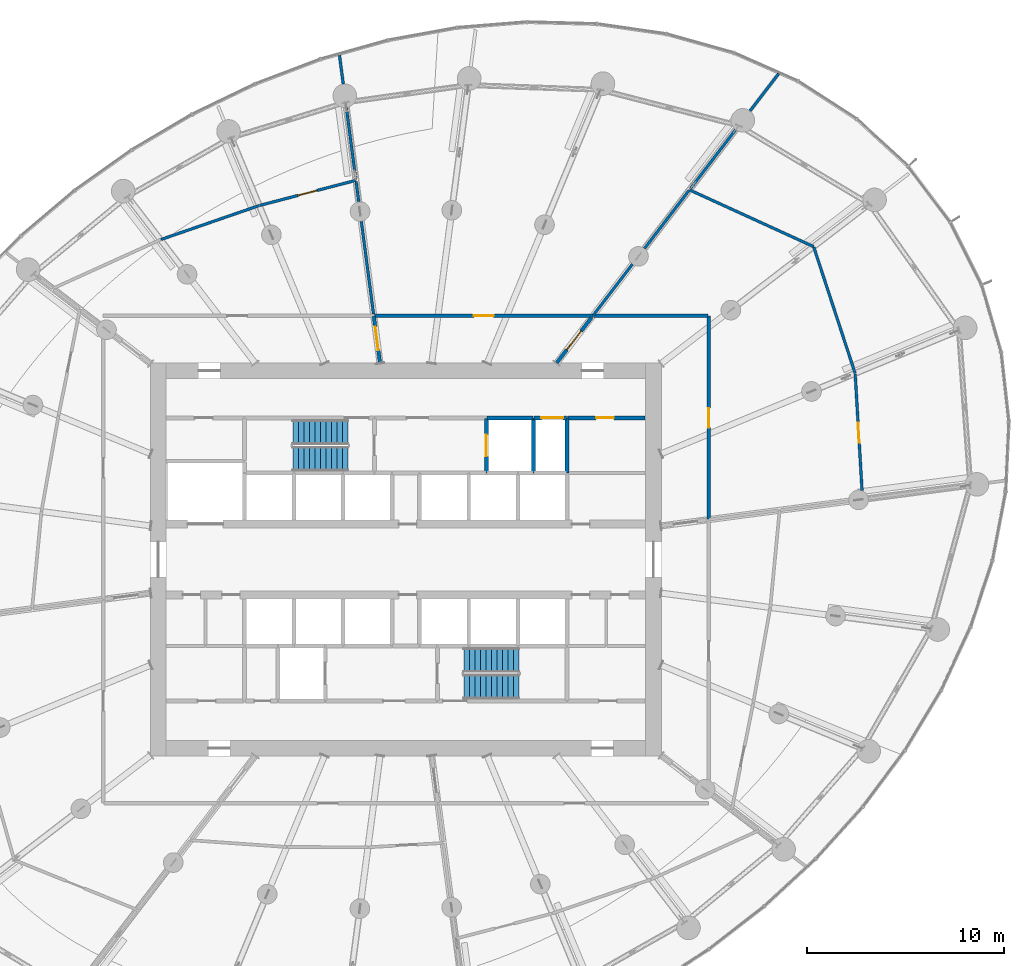
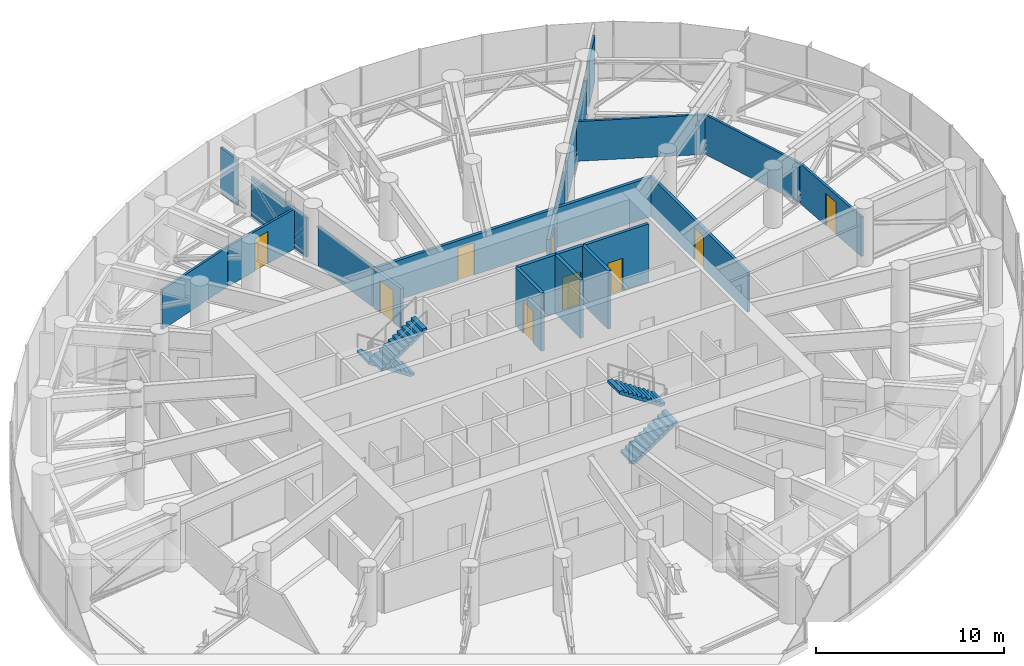
# One storey, part 19 of 33: 24 walls, 9 doors, 4 stair flights, 9 openings, 2 elements without a shape of their own.
"""IFC4 building model written with IfcOpenShell, lengths in metres."""

from ifc_helpers import new_model, si_unit, direction, frame, frame_2d, origin, place, context, subcontext, project, spatial, line, indexed_curve, rectangle, outline, extrude, source, transform, mapped, material, layer, layer_set, type_object, element, fill, aggregate, save


model = new_model("IFC4")

# Units and contexts
model_context = context("Model", 3, precision=1e-05, world=origin(), true_north=direction((0.0, 1.0)))
body_context = subcontext(model_context, "Body", "Model", "MODEL_VIEW")
ifc_project = project(units=[si_unit("LENGTHUNIT", "METRE"), si_unit("AREAUNIT", "SQUARE_METRE"), si_unit("VOLUMEUNIT", "CUBIC_METRE"), si_unit("PLANEANGLEUNIT", "RADIAN"), si_unit("MASSUNIT", "GRAM", prefix="KILO")], contexts=[model_context])

# Site, building, storey
site_placement = place(None, origin())
site = spatial("IfcSite", under=ifc_project, at=site_placement, CompositionType="ELEMENT")
building_placement = place(site_placement, origin())
building = spatial("IfcBuilding", under=site, at=building_placement, Name="Spindrift Exchange Tower", CompositionType="ELEMENT")
storey_placement = place(building_placement, frame((0.0, 0.0, 129.0)))
storey = spatial("IfcBuildingStorey", under=building, at=storey_placement, Name="L30", CompositionType="ELEMENT", Elevation=129.0)

# Wall, opening, door
ifc_material_1 = material(Name="Fire-rated plasterboard partition", Category="gypsum")
ifc_layer_1 = layer(ifc_material_1, 0.179931640625)
ifc_layer_set_1 = layer_set([ifc_layer_1], Name="W-CORR-180")
wall_type_1 = type_object("IfcWallType", Name="W-CORR-180", PredefinedType="PARTITIONING", material=ifc_layer_set_1)
wall_1_placement = place(storey_placement, frame((64.179931640625, 55.199951171875, 0.0), z_axis=(0.0, 0.0, 1.0), x_axis=(-1.0, 0.0, 0.0)))
wall_1 = element("IfcWall", 1, at=wall_1_placement, inside=storey, type_object=wall_type_1, Name="L30 Partition wall 68", PredefinedType="PARTITIONING", context=body_context, shape_type="SweptSolid", body=[
    extrude(rectangle(XDim=3.949951171875, YDim=0.179931640625, at=frame_2d((1.97509765625, 0.0))), origin(), (0.0, 0.0, 1.0), 3.780029296875),
])
opening_1_placement = place(wall_1_placement, frame((1.60009765625, 0.0, 0.0)))
opening_1 = element("IfcOpeningElement", 2, at=opening_1_placement, cuts=wall_1, Name="Opening L30-D46", PredefinedType="OPENING", context=body_context, shape_type="SweptSolid", body=[
    extrude(rectangle(XDim=0.89990234375, YDim=2.10009765625, at=frame_2d((0.449951171875, 1.050048828125))), frame((0.0, 0.099853515625, 0.0), z_axis=(0.0, -1.0, 0.0), x_axis=(1.0, 0.0, 0.0)), (0.0, 0.0, 1.0), 0.199951171875),
])
ifc_material_2 = material(Name="Steel access door", Category="steel")
door_type_1 = type_object("IfcDoorType", Name="DR-RISER-900", OperationType="NOTDEFINED", PredefinedType="DOOR", material=ifc_material_2)
shared_shape_1 = source(origin(), body_context, "Body", "SweptSolid", [
    extrude(rectangle(XDim=0.89990234375, YDim=2.10009765625, at=frame_2d((0.449951171875, 1.050048828125))), frame((0.0, 0.02490234375, 0.0), z_axis=(0.0, -1.0, 0.0), x_axis=(1.0, 0.0, 0.0)), (0.0, 0.0, 1.0), 0.050048828125),
])
door_1_placement = place(opening_1_placement, origin())
door_1 = element("IfcDoor", 3, at=door_1_placement, inside=storey, type_object=door_type_1, Name="L30 Riser door 46", OperationType="SINGLE_SWING_LEFT", OverallHeight=2.10009765625, OverallWidth=0.89990234375, PredefinedType="DOOR", context=body_context, shape_type="MappedRepresentation", body=[
    mapped(shared_shape_1, transform((0.0, 0.0, 0.0), scale=1.0)),
])
fill(opening_1, door_1)

ifc_layer_2 = layer(ifc_material_1, 0.179931640625)
ifc_layer_set_2 = layer_set([ifc_layer_2], Name="W-CORR-180-SOFFIT")
wall_type_2 = type_object("IfcWallType", Name="W-CORR-180-SOFFIT", PredefinedType="PARTITIONING", material=ifc_layer_set_2)
wall_2_placement = place(storey_placement, frame((61.44580078125, 60.31005859375, 0.0), z_axis=(0.0, 0.0, 1.0), x_axis=(-0.608737787706, -0.793371480341, 0.0)))
wall_2 = element("IfcWall", 4, at=wall_2_placement, inside=storey, type_object=wall_type_2, Name="L30 Partition wall 72", PredefinedType="PARTITIONING", context=body_context, shape_type="SweptSolid", body=[
    extrude(rectangle(XDim=2.91162109375, YDim=0.179931640625, at=frame_2d((1.455810546875, 0.0))), origin(), (0.0, 0.0, 1.0), 2.580078125),
])
opening_2_placement = place(wall_2_placement, frame((0.86181640625, 0.0, 0.0)))
opening_2 = element("IfcOpeningElement", 5, at=opening_2_placement, cuts=wall_2, Name="Opening L30-D33", PredefinedType="OPENING", context=body_context, shape_type="SweptSolid", body=[
    extrude(rectangle(XDim=1.199951171875, YDim=2.10009765625, at=frame_2d((0.60009765625, 1.050048828125))), frame((0.0, 0.099853515625, 0.0), z_axis=(0.0, -1.0, 0.0), x_axis=(1.0, 0.0, 0.0)), (0.0, 0.0, 1.0), 0.199951171875),
])
ifc_material_3 = material(Name="Steel fire door", Category="steel")
door_type_2 = type_object("IfcDoorType", Name="DR-PLANT-1200", OperationType="NOTDEFINED", PredefinedType="DOOR", material=ifc_material_3)
shared_shape_2 = source(origin(), body_context, "Body", "SweptSolid", [
    extrude(rectangle(XDim=1.199951171875, YDim=2.10009765625, at=frame_2d((0.60009765625, 1.050048828125))), frame((0.0, 0.02490234375, 0.0), z_axis=(0.0, -1.0, 0.0), x_axis=(1.0, 0.0, 0.0)), (0.0, 0.0, 1.0), 0.050048828125),
])
door_2_placement = place(opening_2_placement, origin())
door_2 = element("IfcDoor", 6, at=door_2_placement, inside=storey, type_object=door_type_2, Name="L30 Plant room door 33", OperationType="SINGLE_SWING_RIGHT", OverallHeight=2.10009765625, OverallWidth=1.199951171875, PredefinedType="DOOR", context=body_context, shape_type="MappedRepresentation", body=[
    mapped(shared_shape_2, transform((0.0, 0.0, 0.0), scale=1.0)),
])
fill(opening_2, door_2)

wall_3_placement = place(storey_placement, frame((50.371337890625, 60.370361328125, 0.0), z_axis=(0.0, 0.0, 1.0), x_axis=(0.13060507681, -0.991434472828, 0.0)))
wall_3 = element("IfcWall", 7, at=wall_3_placement, inside=storey, type_object=wall_type_2, Name="L30 Partition wall 75", PredefinedType="PARTITIONING", context=body_context, shape_type="SweptSolid", body=[
    extrude(rectangle(XDim=2.390869140625, YDim=0.179931640625, at=frame_2d((1.1953125, 0.0))), origin(), (0.0, 0.0, 1.0), 2.580078125),
])
opening_3_placement = place(wall_3_placement, frame((0.540771484375, 0.0, 0.0)))
opening_3 = element("IfcOpeningElement", 8, at=opening_3_placement, cuts=wall_3, Name="Opening L30-D34", PredefinedType="OPENING", context=body_context, shape_type="SweptSolid", body=[
    extrude(rectangle(XDim=1.199951171875, YDim=2.10009765625, at=frame_2d((0.60009765625, 1.050048828125))), frame((0.0, 0.099853515625, 0.0), z_axis=(0.0, -1.0, 0.0), x_axis=(1.0, 0.0, 0.0)), (0.0, 0.0, 1.0), 0.199951171875),
])
door_3_placement = place(opening_3_placement, origin())
door_3 = element("IfcDoor", 9, at=door_3_placement, inside=storey, type_object=door_type_2, Name="L30 Plant room door 34", OperationType="SINGLE_SWING_LEFT", OverallHeight=2.10009765625, OverallWidth=1.199951171875, PredefinedType="DOOR", context=body_context, shape_type="MappedRepresentation", body=[
    mapped(shared_shape_2, transform((0.0, 0.0, 0.0), scale=1.0)),
])
fill(opening_3, door_3)

# Walls
ifc_layer_3 = layer(ifc_material_1, 0.139892578125)
ifc_layer_set_3 = layer_set([ifc_layer_3], Name="W-PLANT-140")
wall_type_3 = type_object("IfcWallType", Name="W-PLANT-140", PredefinedType="PARTITIONING", material=ifc_layer_set_3)
wall_4_placement = place(storey_placement, frame((69.513671875, 70.82421875, 0.0), z_axis=(0.0, 0.0, 1.0), x_axis=(0.608723111947, 0.793382740537, 0.0)))
element("IfcWall", 10, at=wall_4_placement, inside=storey, type_object=wall_type_3, Name="L30 Partition wall 117", PredefinedType="PARTITIONING", context=body_context, shape_type="SweptSolid", body=[
    extrude(rectangle(XDim=2.390380859375, YDim=0.139892578125, at=frame_2d((1.1953125, 0.0))), origin(), (0.0, 0.0, 1.0), 2.97998046875),
])
wall_5_placement = place(storey_placement, frame((48.814697265625, 72.194580078125, 0.0), z_axis=(0.0, 0.0, 1.0), x_axis=(-0.13042446584, 0.991458248597, 0.0)))
element("IfcWall", 11, at=wall_5_placement, inside=storey, type_object=wall_type_3, Name="L30 Partition wall 128", PredefinedType="PARTITIONING", context=body_context, shape_type="SweptSolid", body=[
    extrude(rectangle(XDim=1.47119140625, YDim=0.139892578125, at=frame_2d((0.735595703125, 0.0))), origin(), (0.0, 0.0, 1.0), 2.97998046875),
])
ifc_layer_4 = layer(ifc_material_1, 0.139892578125)
ifc_layer_set_4 = layer_set([ifc_layer_4], Name="W-PLANT-140-SOFFIT")
wall_type_4 = type_object("IfcWallType", Name="W-PLANT-140-SOFFIT", PredefinedType="PARTITIONING", material=ifc_layer_set_4)
wall_6_placement = place(storey_placement, frame((72.747802734375, 63.920166015625, 0.0), z_axis=(0.0, 0.0, 1.0), x_axis=(-0.909542442832, 0.415611049765, 0.0)))
element("IfcWall", 12, at=wall_6_placement, inside=storey, type_object=wall_type_4, Name="L30 Partition wall 79", PredefinedType="PARTITIONING", context=body_context, shape_type="SweptSolid", body=[
    extrude(rectangle(XDim=6.945068359375, YDim=0.139892578125, at=frame_2d((3.47265625, 0.0))), origin(), (0.0, 0.0, 1.0), 2.580078125),
])
wall_7_placement = place(storey_placement, frame((74.8603515625, 57.468994140625, 0.0), z_axis=(0.0, 0.0, 1.0), x_axis=(-0.311205759701, 0.950342556728, 0.0)))
element("IfcWall", 13, at=wall_7_placement, inside=storey, type_object=wall_type_4, Name="L30 Partition wall 80", PredefinedType="PARTITIONING", context=body_context, shape_type="SweptSolid", body=[
    extrude(rectangle(XDim=6.758544921875, YDim=0.139892578125, at=frame_2d((3.37939453125, 0.0))), origin(), (0.0, 0.0, 1.0), 2.580078125),
])

# Wall, opening, door
wall_8_placement = place(storey_placement, frame((74.862060546875, 57.439208984375, 0.0), z_axis=(0.0, 0.0, 1.0), x_axis=(0.058847201185, -0.998267001815, 0.0)))
wall_8 = element("IfcWall", 14, at=wall_8_placement, inside=storey, type_object=wall_type_4, Name="L30 Partition wall 86", PredefinedType="PARTITIONING", context=body_context, shape_type="SweptSolid", body=[
    extrude(rectangle(XDim=5.945068359375, YDim=0.139892578125, at=frame_2d((2.97265625, 0.0))), origin(), (0.0, 0.0, 1.0), 2.580078125),
])
opening_4_placement = place(wall_8_placement, frame((2.494873046875, 0.0, 0.0)))
opening_4 = element("IfcOpeningElement", 15, at=opening_4_placement, cuts=wall_8, Name="Opening L30-D19", PredefinedType="OPENING", context=body_context, shape_type="SweptSolid", body=[
    extrude(rectangle(XDim=1.0, YDim=2.10009765625, at=frame_2d((0.5, 1.050048828125))), frame((0.0, 0.079833984375, 0.0), z_axis=(0.0, -1.0, 0.0), x_axis=(1.0, 0.0, 0.0)), (0.0, 0.0, 1.0), 0.159912109375),
])
ifc_material_4 = material(Name="Timber-core fire door", Category="wood")
door_type_3 = type_object("IfcDoorType", Name="DR-ROOM-1000", OperationType="NOTDEFINED", PredefinedType="DOOR", material=ifc_material_4)
shared_shape_3 = source(origin(), body_context, "Body", "SweptSolid", [
    extrude(rectangle(XDim=1.0, YDim=2.10009765625, at=frame_2d((0.5, 1.050048828125))), frame((0.0, 0.02490234375, 0.0), z_axis=(0.0, -1.0, 0.0), x_axis=(1.0, 0.0, 0.0)), (0.0, 0.0, 1.0), 0.050048828125),
])
door_4_placement = place(opening_4_placement, origin())
door_4 = element("IfcDoor", 16, at=door_4_placement, inside=storey, type_object=door_type_3, Name="L30 Door 19", OperationType="SINGLE_SWING_RIGHT", OverallHeight=2.10009765625, OverallWidth=1.0, PredefinedType="DOOR", context=body_context, shape_type="MappedRepresentation", body=[
    mapped(shared_shape_3, transform((0.0, 0.0, 0.0), scale=1.0)),
])
fill(opening_4, door_4)

# Wall
wall_9_placement = place(storey_placement, frame((44.5400390625, 66.009765625, 0.0), z_axis=(0.0, 0.0, 1.0), x_axis=(-0.945116087861, -0.326734724918, 0.0)))
element("IfcWall", 17, at=wall_9_placement, inside=storey, type_object=wall_type_4, Name="L30 Partition wall 89", PredefinedType="PARTITIONING", context=body_context, shape_type="SweptSolid", body=[
    extrude(rectangle(XDim=5.2880859375, YDim=0.139892578125, at=frame_2d((2.64404296875, 0.0))), origin(), (0.0, 0.0, 1.0), 2.580078125),
])

# Wall, opening, door
wall_10_placement = place(storey_placement, frame((44.569091796875, 66.017333984375, 0.0), z_axis=(0.0, 0.0, 1.0), x_axis=(0.967691095233, 0.252138739998, 0.0)))
wall_10 = element("IfcWall", 18, at=wall_10_placement, inside=storey, type_object=wall_type_4, Name="L30 Partition wall 93", PredefinedType="PARTITIONING", context=body_context, shape_type="SweptSolid", body=[
    extrude(rectangle(XDim=5.054443359375, YDim=0.139892578125, at=frame_2d((2.52734375, 0.0))), origin(), (0.0, 0.0, 1.0), 2.580078125),
])
opening_5_placement = place(wall_10_placement, frame((2.00439453125, 0.0, 0.0)))
opening_5 = element("IfcOpeningElement", 19, at=opening_5_placement, cuts=wall_10, Name="Opening L30-D22", PredefinedType="OPENING", context=body_context, shape_type="SweptSolid", body=[
    extrude(rectangle(XDim=1.0, YDim=2.10009765625, at=frame_2d((0.5, 1.050048828125))), frame((0.0, 0.079833984375, 0.0), z_axis=(0.0, -1.0, 0.0), x_axis=(1.0, 0.0, 0.0)), (0.0, 0.0, 1.0), 0.159912109375),
])
door_5_placement = place(opening_5_placement, origin())
door_5 = element("IfcDoor", 20, at=door_5_placement, inside=storey, type_object=door_type_3, Name="L30 Door 22", OperationType="SINGLE_SWING_LEFT", OverallHeight=2.10009765625, OverallWidth=1.0, PredefinedType="DOOR", context=body_context, shape_type="MappedRepresentation", body=[
    mapped(shared_shape_3, transform((0.0, 0.0, 0.0), scale=1.0)),
])
fill(opening_5, door_5)

# Walls
wall_11_placement = place(storey_placement, frame((50.355712890625, 60.489990234375, 0.0), z_axis=(0.0, 0.0, 1.0), x_axis=(-0.130548834981, 0.991441880135, 0.0)))
element("IfcWall", 21, at=wall_11_placement, inside=storey, type_object=wall_type_4, Name="L30 Partition wall 101", PredefinedType="PARTITIONING", context=body_context, shape_type="SweptSolid", body=[
    extrude(rectangle(XDim=4.75390625, YDim=0.139892578125, at=frame_2d((2.376953125, 0.0))), origin(), (0.0, 0.0, 1.0), 2.580078125),
])
wall_12_placement = place(storey_placement, frame((66.474609375, 66.86376953125, 0.0), z_axis=(0.0, 0.0, 1.0), x_axis=(0.608749841057, 0.793362231905, 0.0)))
element("IfcWall", 22, at=wall_12_placement, inside=storey, type_object=wall_type_4, Name="L30 Partition wall 104", PredefinedType="PARTITIONING", context=body_context, shape_type="SweptSolid", body=[
    extrude(rectangle(XDim=3.783447265625, YDim=0.139892578125, at=frame_2d((1.8916015625, 0.0))), origin(), (0.0, 0.0, 1.0), 2.580078125),
])
wall_13_placement = place(storey_placement, frame((64.14208984375, 63.823974609375, 0.0), z_axis=(0.0, 0.0, 1.0), x_axis=(0.608761301523, 0.793353438114, 0.0)))
element("IfcWall", 23, at=wall_13_placement, inside=storey, type_object=wall_type_4, Name="L30 Partition wall 106", PredefinedType="PARTITIONING", context=body_context, shape_type="SweptSolid", body=[
    extrude(rectangle(XDim=3.729736328125, YDim=0.139892578125, at=frame_2d((1.86474609375, 0.0))), origin(), (0.0, 0.0, 1.0), 2.580078125),
])
wall_14_placement = place(storey_placement, frame((49.456298828125, 67.321533203125, 0.0), z_axis=(0.0, 0.0, 1.0), x_axis=(-0.130558454313, 0.991440613455, 0.0)))
element("IfcWall", 24, at=wall_14_placement, inside=storey, type_object=wall_type_4, Name="L30 Partition wall 108", PredefinedType="PARTITIONING", context=body_context, shape_type="SweptSolid", body=[
    extrude(rectangle(XDim=3.706298828125, YDim=0.139892578125, at=frame_2d((1.85302734375, 0.0))), origin(), (0.0, 0.0, 1.0), 2.580078125),
])
wall_15_placement = place(storey_placement, frame((61.537109375, 60.428955078125, 0.0), z_axis=(0.0, 0.0, 1.0), x_axis=(0.608754323654, 0.793358792371, 0.0)))
element("IfcWall", 25, at=wall_15_placement, inside=storey, type_object=wall_type_4, Name="L30 Partition wall 112", PredefinedType="PARTITIONING", context=body_context, shape_type="SweptSolid", body=[
    extrude(rectangle(XDim=3.2705078125, YDim=0.139892578125, at=frame_2d((1.63525390625, 0.0))), origin(), (0.0, 0.0, 1.0), 2.580078125),
])
wall_16_placement = place(storey_placement, frame((49.603515625, 66.203369140625, 0.0), z_axis=(0.0, 0.0, 1.0), x_axis=(-0.130497554193, 0.991448631221, 0.0)))
element("IfcWall", 26, at=wall_16_placement, inside=storey, type_object=wall_type_4, Name="L30 Partition wall 132", PredefinedType="PARTITIONING", context=body_context, shape_type="SweptSolid", body=[
    extrude(rectangle(XDim=1.027099609375, YDim=0.139892578125, at=frame_2d((0.513671875, 0.0))), origin(), (0.0, 0.0, 1.0), 2.580078125),
])

# Wall, opening, door
ifc_layer_5 = layer(ifc_material_1, 0.179931640625)
ifc_layer_set_5 = layer_set([ifc_layer_5], Name="W-PLANT-180-SOFFIT")
wall_type_5 = type_object("IfcWallType", Name="W-PLANT-180-SOFFIT", PredefinedType="PARTITIONING", material=ifc_layer_set_5)
wall_17_placement = place(storey_placement, frame((50.3974609375, 60.39990234375, 0.0), z_axis=(0.0, 0.0, 1.0), x_axis=(1.0, 0.0, 0.0)))
wall_17 = element("IfcWall", 27, at=wall_17_placement, inside=storey, type_object=wall_type_5, Name="L30 Partition wall 62", PredefinedType="PARTITIONING", context=body_context, shape_type="SweptSolid", body=[
    extrude(rectangle(XDim=11.117431640625, YDim=0.179931640625, at=frame_2d((5.55859375, 0.0))), origin(), (0.0, 0.0, 1.0), 2.580078125),
])
opening_6_placement = place(wall_17_placement, frame((5.0673828125, 0.0, 0.0)))
opening_6 = element("IfcOpeningElement", 28, at=opening_6_placement, cuts=wall_17, Name="Opening L30-D20", PredefinedType="OPENING", context=body_context, shape_type="SweptSolid", body=[
    extrude(rectangle(XDim=1.0, YDim=2.10009765625, at=frame_2d((0.5, 1.050048828125))), frame((0.0, 0.099853515625, 0.0), z_axis=(0.0, -1.0, 0.0), x_axis=(1.0, 0.0, 0.0)), (0.0, 0.0, 1.0), 0.199951171875),
])
door_6_placement = place(opening_6_placement, origin())
door_6 = element("IfcDoor", 29, at=door_6_placement, inside=storey, type_object=door_type_3, Name="L30 Door 20", OperationType="SINGLE_SWING_LEFT", OverallHeight=2.10009765625, OverallWidth=1.0, PredefinedType="DOOR", context=body_context, shape_type="MappedRepresentation", body=[
    mapped(shared_shape_3, transform((0.0, 0.0, 0.0), scale=1.0)),
])
fill(opening_6, door_6)

wall_18_placement = place(storey_placement, frame((67.39990234375, 60.39990234375, 0.0), z_axis=(0.0, 0.0, 1.0), x_axis=(0.0, -1.0, 0.0)))
wall_18 = element("IfcWall", 30, at=wall_18_placement, inside=storey, type_object=wall_type_5, Name="L30 Partition wall 64", PredefinedType="PARTITIONING", context=body_context, shape_type="SweptSolid", body=[
    extrude(rectangle(XDim=10.342529296875, YDim=0.179931640625, at=frame_2d((5.17138671875, 0.0))), origin(), (0.0, 0.0, 1.0), 2.580078125),
])
opening_7_placement = place(wall_18_placement, frame((4.692626953125, 0.0, 0.0)))
opening_7 = element("IfcOpeningElement", 31, at=opening_7_placement, cuts=wall_18, Name="Opening L30-D18", PredefinedType="OPENING", context=body_context, shape_type="SweptSolid", body=[
    extrude(rectangle(XDim=1.0, YDim=2.10009765625, at=frame_2d((0.5, 1.050048828125))), frame((0.0, 0.099853515625, 0.0), z_axis=(0.0, -1.0, 0.0), x_axis=(1.0, 0.0, 0.0)), (0.0, 0.0, 1.0), 0.199951171875),
])
door_7_placement = place(opening_7_placement, origin())
door_7 = element("IfcDoor", 32, at=door_7_placement, inside=storey, type_object=door_type_3, Name="L30 Door 18", OperationType="SINGLE_SWING_LEFT", OverallHeight=2.10009765625, OverallWidth=1.0, PredefinedType="DOOR", context=body_context, shape_type="MappedRepresentation", body=[
    mapped(shared_shape_3, transform((0.0, 0.0, 0.0), scale=1.0)),
])
fill(opening_7, door_7)

# Wall
wall_19_placement = place(storey_placement, frame((67.3701171875, 60.39990234375, 0.0), z_axis=(0.0, 0.0, 1.0), x_axis=(-1.0, 0.0, 0.0)))
element("IfcWall", 33, at=wall_19_placement, inside=storey, type_object=wall_type_5, Name="L30 Partition wall 65", PredefinedType="PARTITIONING", context=body_context, shape_type="SweptSolid", body=[
    extrude(rectangle(XDim=5.8251953125, YDim=0.179931640625, at=frame_2d((2.91259765625, 0.0))), origin(), (0.0, 0.0, 1.0), 2.580078125),
])

# Wall, opening, door
ifc_material_5 = material(Name="Concrete 40 MPa", Category="concrete")
ifc_layer_6 = layer(ifc_material_5, 0.199951171875)
ifc_layer_set_6 = layer_set([ifc_layer_6], Name="W-SHAFT-200")
wall_type_6 = type_object("IfcWallType", Name="W-SHAFT-200", PredefinedType="SOLIDWALL", material=ifc_layer_set_6)
wall_20_placement = place(storey_placement, frame((56.10009765625, 55.169921875, 0.0), z_axis=(0.0, 0.0, 1.0), x_axis=(0.0, -1.0, 0.0)))
wall_20 = element("IfcWall", 34, at=wall_20_placement, inside=storey, type_object=wall_type_6, Name="L30 Shaft wall 12", PredefinedType="SOLIDWALL", context=body_context, shape_type="SweptSolid", body=[
    extrude(rectangle(XDim=2.77001953125, YDim=0.199951171875, at=frame_2d((1.385009765625, 0.0))), origin(), (0.0, 0.0, 1.0), 3.780029296875),
])
opening_8_placement = place(wall_20_placement, frame((0.820068359375, 0.0, 0.0)))
opening_8 = element("IfcOpeningElement", 35, at=opening_8_placement, cuts=wall_20, Name="Opening L30-D3", PredefinedType="OPENING", context=body_context, shape_type="SweptSolid", body=[
    extrude(rectangle(XDim=1.10009765625, YDim=2.10009765625, at=frame_2d((0.550048828125, 1.050048828125))), frame((0.0, 0.10986328125, 0.0), z_axis=(0.0, -1.0, 0.0), x_axis=(1.0, 0.0, 0.0)), (0.0, 0.0, 1.0), 0.219970703125),
])
ifc_material_6 = material(Name="Stainless steel landing door", Category="steel")
door_type_4 = type_object("IfcDoorType", Name="DR-LANDING-1100-SL", OperationType="DOUBLE_DOOR_SLIDING", PredefinedType="USERDEFINED", material=ifc_material_6)
shared_shape_4 = source(origin(), body_context, "Body", "SweptSolid", [
    extrude(rectangle(XDim=1.10009765625, YDim=2.10009765625, at=frame_2d((0.550048828125, 1.050048828125))), frame((0.0, 0.02490234375, 0.0), z_axis=(0.0, -1.0, 0.0), x_axis=(1.0, 0.0, 0.0)), (0.0, 0.0, 1.0), 0.050048828125),
])
door_8_placement = place(opening_8_placement, origin())
door_8 = element("IfcDoor", 36, at=door_8_placement, inside=storey, type_object=door_type_4, Name="L30 Lift landing door 3", ObjectType="LANDING DOOR", OperationType="DOUBLE_DOOR_SLIDING", OverallHeight=2.10009765625, OverallWidth=1.10009765625, PredefinedType="USERDEFINED", context=body_context, shape_type="MappedRepresentation", body=[
    mapped(shared_shape_4, transform((0.0, 0.0, 0.0), scale=1.0)),
])
fill(opening_8, door_8)

# Walls
for number, where, z_axis, x_axis, name in (
    (37, (58.5, 52.39990234375, 0.0), (0.0, 0.0, 1.0), (0.0, 1.0, 0.0), "L30 Shaft wall 13"),
    (38, (60.199951171875, 52.39990234375, 0.0), (0.0, 0.0, 1.0), (0.0, 1.0, 0.0), "L30 Shaft wall 14"),
):
    element("IfcWall", number, at=place(storey_placement, frame(where, z_axis=z_axis, x_axis=x_axis)), inside=storey, type_object=wall_type_6, Name=name, PredefinedType="SOLIDWALL", context=body_context, shape_type="SweptSolid", body=[
        extrude(rectangle(XDim=2.800048828125, YDim=0.199951171875, at=frame_2d((1.39990234375, 0.0))), origin(), (0.0, 0.0, 1.0), 3.780029296875),
    ])
wall_21_placement = place(storey_placement, frame((58.469970703125, 55.199951171875, 0.0), z_axis=(0.0, 0.0, 1.0), x_axis=(-1.0, 0.0, 0.0)))
element("IfcWall", 39, at=wall_21_placement, inside=storey, type_object=wall_type_6, Name="L30 Shaft wall 22", PredefinedType="SOLIDWALL", context=body_context, shape_type="SweptSolid", body=[
    extrude(rectangle(XDim=2.340087890625, YDim=0.199951171875, at=frame_2d((1.169921875, 0.0))), origin(), (0.0, 0.0, 1.0), 3.780029296875),
])

# Wall, opening, door
wall_22_placement = place(storey_placement, frame((60.169921875, 55.199951171875, 0.0), z_axis=(0.0, 0.0, 1.0), x_axis=(-1.0, 0.0, 0.0)))
wall_22 = element("IfcWall", 40, at=wall_22_placement, inside=storey, type_object=wall_type_6, Name="L30 Shaft wall 43", PredefinedType="SOLIDWALL", context=body_context, shape_type="SweptSolid", body=[
    extrude(rectangle(XDim=1.639892578125, YDim=0.199951171875, at=frame_2d((0.81982421875, 0.0))), origin(), (0.0, 0.0, 1.0), 3.780029296875),
])
opening_9_placement = place(wall_22_placement, frame((0.169921875, 0.0, 0.0)))
opening_9 = element("IfcOpeningElement", 41, at=opening_9_placement, cuts=wall_22, Name="Opening L30-D5", PredefinedType="OPENING", context=body_context, shape_type="SweptSolid", body=[
    extrude(rectangle(XDim=1.10009765625, YDim=2.10009765625, at=frame_2d((0.550048828125, 1.050048828125))), frame((0.0, 0.10986328125, 0.0), z_axis=(0.0, -1.0, 0.0), x_axis=(1.0, 0.0, 0.0)), (0.0, 0.0, 1.0), 0.219970703125),
])
door_9_placement = place(opening_9_placement, origin())
door_9 = element("IfcDoor", 42, at=door_9_placement, inside=storey, type_object=door_type_4, Name="L30 Lift landing door 5", ObjectType="LANDING DOOR", OperationType="DOUBLE_DOOR_SLIDING", OverallHeight=2.10009765625, OverallWidth=1.10009765625, PredefinedType="USERDEFINED", context=body_context, shape_type="MappedRepresentation", body=[
    mapped(shared_shape_4, transform((0.0, 0.0, 0.0), scale=1.0)),
])
fill(opening_9, door_9)

# Stair, stair flights
ifc_material_7 = material(Name="Concrete 50 MPa", Category="concrete")
stair_type = type_object("IfcStairType", Name="ST-1250-R186", PredefinedType="HALF_TURN_STAIR", material=ifc_material_7)
stair_1_placement = place(storey_placement, origin())
stair_1 = element("IfcStair", 43, at=stair_1_placement, inside=storey, type_object=stair_type, Name="L30 Exit stair ST1", PredefinedType="HALF_TURN_STAIR")
stair_flight_type = type_object("IfcStairFlightType", Name="STF-1250-R186", PredefinedType="STRAIGHT", material=ifc_material_7)
stair_flight_1_placement = place(storey_placement, frame((49.050048828125, 54.47509765625, 0.0), z_axis=(0.0, 0.0, 1.0), x_axis=(-1.0, 0.0, 0.0)))
stair_flight_1 = element("IfcStairFlight", 44, at=stair_flight_1_placement, type_object=stair_flight_type, Name="ST1 flight 1", NumberOfRisers=11, NumberOfTreads=10, PredefinedType="STRAIGHT", RiserHeight=0.186363636, TreadLength=0.28, context=body_context, shape_type="SweptSolid", body=[
    extrude(outline(indexed_curve([(0.0, 0.0), (0.0, 0.1865234375), (0.2802734375, 0.1865234375), (0.2802734375, 0.373046875), (0.5595703125, 0.373046875), (0.5595703125, 0.5595703125), (0.83984375, 0.5595703125), (0.83984375, 0.7451171875), (1.1201171875, 0.7451171875), (1.1201171875, 0.931640625), (1.400390625, 0.931640625), (1.400390625, 1.1181640625), (1.6796875, 1.1181640625), (1.6796875, 1.3046875), (1.9599609375, 1.3046875), (1.9599609375, 1.4912109375), (2.240234375, 1.4912109375), (2.240234375, 1.677734375), (2.51953125, 1.677734375), (2.51953125, 1.86328125), (2.7998046875, 1.86328125), (2.7998046875, 2.0498046875), (2.7998046875, 1.68359375), (0.2705078125, 0.0)], segments=[line(1, 2, 3, 4, 5, 6, 7, 8, 9, 10, 11, 12, 13, 14, 15, 16, 17, 18, 19, 20, 21, 22, 23, 24, 1)], self_intersect=False)), frame((0.0, 0.625, 0.0), z_axis=(0.0, -1.0, 0.0), x_axis=(1.0, 0.0, 0.0)), (0.0, 0.0, 1.0), 1.25),
])
stair_flight_2_placement = place(storey_placement, frame((46.25, 53.125, 2.050048828125), z_axis=(0.0, 0.0, 1.0), x_axis=(1.0, 0.0, 0.0)))
stair_flight_2 = element("IfcStairFlight", 45, at=stair_flight_2_placement, type_object=stair_flight_type, Name="ST1 flight 2", NumberOfRisers=11, NumberOfTreads=10, PredefinedType="STRAIGHT", RiserHeight=0.186363636, TreadLength=0.28, context=body_context, shape_type="SweptSolid", body=[
    extrude(outline(indexed_curve([(0.0, 0.0), (0.0, 0.1865234375), (0.2802734375, 0.1865234375), (0.2802734375, 0.373046875), (0.5595703125, 0.373046875), (0.5595703125, 0.5595703125), (0.83984375, 0.5595703125), (0.83984375, 0.7451171875), (1.1201171875, 0.7451171875), (1.1201171875, 0.931640625), (1.400390625, 0.931640625), (1.400390625, 1.1181640625), (1.6796875, 1.1181640625), (1.6796875, 1.3046875), (1.9599609375, 1.3046875), (1.9599609375, 1.4912109375), (2.240234375, 1.4912109375), (2.240234375, 1.677734375), (2.51953125, 1.677734375), (2.51953125, 1.86328125), (2.7998046875, 1.86328125), (2.7998046875, 2.0498046875), (2.7998046875, 1.68359375), (0.2705078125, 0.0)], segments=[line(1, 2, 3, 4, 5, 6, 7, 8, 9, 10, 11, 12, 13, 14, 15, 16, 17, 18, 19, 20, 21, 22, 23, 24, 1)], self_intersect=False)), frame((0.0, 0.625, 0.0), z_axis=(0.0, -1.0, 0.0), x_axis=(1.0, 0.0, 0.0)), (0.0, 0.0, 1.0), 1.25),
])
aggregate(stair_1, [stair_flight_1, stair_flight_2])

stair_2_placement = place(storey_placement, origin())
stair_2 = element("IfcStair", 46, at=stair_2_placement, inside=storey, type_object=stair_type, Name="L30 Exit stair ST2", PredefinedType="HALF_TURN_STAIR")
stair_flight_3_placement = place(storey_placement, frame((54.949951171875, 41.52490234375, 0.0), z_axis=(0.0, 0.0, 1.0), x_axis=(1.0, 0.0, 0.0)))
stair_flight_3 = element("IfcStairFlight", 47, at=stair_flight_3_placement, type_object=stair_flight_type, Name="ST2 flight 1", NumberOfRisers=11, NumberOfTreads=10, PredefinedType="STRAIGHT", RiserHeight=0.186363636, TreadLength=0.28, context=body_context, shape_type="SweptSolid", body=[
    extrude(outline(indexed_curve([(0.0, 0.0), (0.0, 0.1865234375), (0.2802734375, 0.1865234375), (0.2802734375, 0.373046875), (0.5595703125, 0.373046875), (0.5595703125, 0.5595703125), (0.83984375, 0.5595703125), (0.83984375, 0.7451171875), (1.1201171875, 0.7451171875), (1.1201171875, 0.931640625), (1.400390625, 0.931640625), (1.400390625, 1.1181640625), (1.6796875, 1.1181640625), (1.6796875, 1.3046875), (1.9599609375, 1.3046875), (1.9599609375, 1.4912109375), (2.240234375, 1.4912109375), (2.240234375, 1.677734375), (2.51953125, 1.677734375), (2.51953125, 1.86328125), (2.7998046875, 1.86328125), (2.7998046875, 2.0498046875), (2.7998046875, 1.68359375), (0.2705078125, 0.0)], segments=[line(1, 2, 3, 4, 5, 6, 7, 8, 9, 10, 11, 12, 13, 14, 15, 16, 17, 18, 19, 20, 21, 22, 23, 24, 1)], self_intersect=False)), frame((0.0, 0.625, 0.0), z_axis=(0.0, -1.0, 0.0), x_axis=(1.0, 0.0, 0.0)), (0.0, 0.0, 1.0), 1.25),
])
stair_flight_4_placement = place(storey_placement, frame((57.75, 42.875, 2.050048828125), z_axis=(0.0, 0.0, 1.0), x_axis=(-1.0, 0.0, 0.0)))
stair_flight_4 = element("IfcStairFlight", 48, at=stair_flight_4_placement, type_object=stair_flight_type, Name="ST2 flight 2", NumberOfRisers=11, NumberOfTreads=10, PredefinedType="STRAIGHT", RiserHeight=0.186363636, TreadLength=0.28, context=body_context, shape_type="SweptSolid", body=[
    extrude(outline(indexed_curve([(0.0, 0.0), (0.0, 0.1865234375), (0.2802734375, 0.1865234375), (0.2802734375, 0.373046875), (0.5595703125, 0.373046875), (0.5595703125, 0.5595703125), (0.83984375, 0.5595703125), (0.83984375, 0.7451171875), (1.1201171875, 0.7451171875), (1.1201171875, 0.931640625), (1.400390625, 0.931640625), (1.400390625, 1.1181640625), (1.6796875, 1.1181640625), (1.6796875, 1.3046875), (1.9599609375, 1.3046875), (1.9599609375, 1.4912109375), (2.240234375, 1.4912109375), (2.240234375, 1.677734375), (2.51953125, 1.677734375), (2.51953125, 1.86328125), (2.7998046875, 1.86328125), (2.7998046875, 2.0498046875), (2.7998046875, 1.68359375), (0.2705078125, 0.0)], segments=[line(1, 2, 3, 4, 5, 6, 7, 8, 9, 10, 11, 12, 13, 14, 15, 16, 17, 18, 19, 20, 21, 22, 23, 24, 1)], self_intersect=False)), frame((0.0, 0.625, 0.0), z_axis=(0.0, -1.0, 0.0), x_axis=(1.0, 0.0, 0.0)), (0.0, 0.0, 1.0), 1.25),
])
aggregate(stair_2, [stair_flight_3, stair_flight_4])

save(model, "model.ifc")
